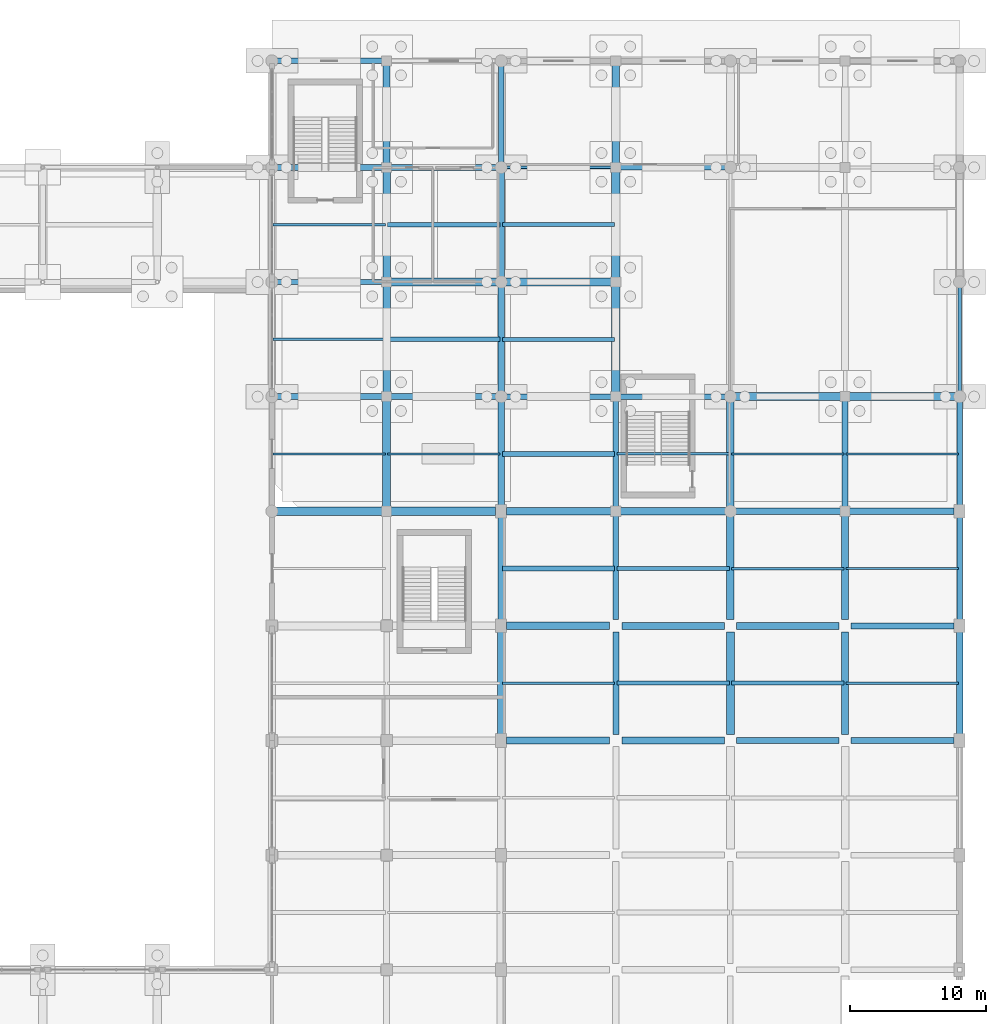
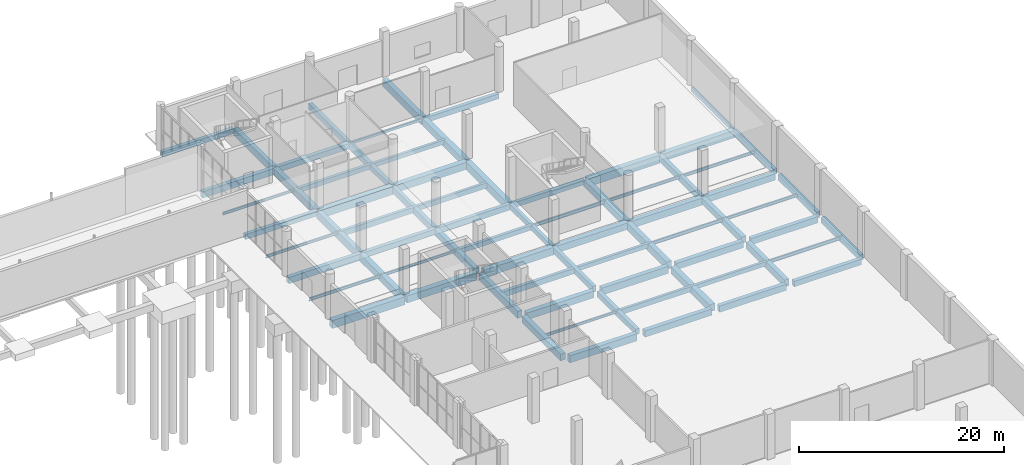
# One storey, part 52 of 82: 74 beams.
"""IFC4 building model written with IfcOpenShell, lengths in metres."""

import ifcopenshell
import ifcopenshell.guid

model = None  # the IFC model being written
_history = None  # IfcOwnerHistory: only IFC2X3 demands one
_inside = {}  # id of a spatial element -> (the spatial element, [elements in it])
_under = {}  # id of a project, library or spatial element -> (it, [spatial elements below it])
_declared = {}  # id of a project -> (the project, [libraries it declares])
_typed = {}  # id of a type object -> (the type object, [elements of that type])
_made_of = {}  # id of a material, layer set ... -> (it, [elements and type objects made of it])


def new_model(schema):
    """Start an empty IFC model of exactly this schema.

    Asked for "IFC4X3", IfcOpenShell would pick the latest addendum, in which some entities
    have other attributes; the version numbers below select the first issue.
    IFC2X3 requires an IfcOwnerHistory on every rooted entity: one is made here for all.
    """
    global model, _history
    if schema == "IFC4X3":
        model = ifcopenshell.file(schema_version=(4, 3, 0, 0))
    else:
        model = ifcopenshell.file(schema=schema)
    _inside.clear()
    _under.clear()
    _declared.clear()
    _typed.clear()
    _made_of.clear()
    _history = None
    if model.schema == "IFC2X3":
        org = make("IfcOrganization", Name="unknown")
        user = make(
            "IfcPersonAndOrganization",
            ThePerson=make("IfcPerson", FamilyName="unknown"),
            TheOrganization=org,
        )
        app = make(
            "IfcApplication",
            ApplicationDeveloper=org,
            Version="unknown",
            ApplicationFullName="unknown",
            ApplicationIdentifier="unknown",
        )
        _history = make(
            "IfcOwnerHistory",
            OwningUser=user,
            OwningApplication=app,
            ChangeAction="ADDED",
            CreationDate=0,
        )
    return model


def make(cls, **values):
    """One entity of the class cls with the attributes given. An attribute that is None is left unset."""
    return model.create_entity(
        cls, **{name: value for name, value in values.items() if value is not None}
    )


def rooted(cls, **values):
    """An entity with a GlobalId (a new one), such as an element, a storey or a relation."""
    return make(cls, GlobalId=ifcopenshell.guid.new(), OwnerHistory=_history, **values)


def si_unit(unit_type, name, prefix=None):
    """IfcSIUnit, for example si_unit("LENGTHUNIT", "METRE", prefix="MILLI")."""
    return make("IfcSIUnit", UnitType=unit_type, Prefix=prefix, Name=name)


def derived_unit(unit_type, elements):
    """IfcDerivedUnit: a product of units, each with its exponent."""
    return make(
        "IfcDerivedUnit",
        Elements=[
            make("IfcDerivedUnitElement", Unit=unit, Exponent=power)
            for unit, power in elements
        ],
        UnitType=unit_type,
    )


def assignment(units):
    """IfcUnitAssignment: the units of a project."""
    return None if units is None else make("IfcUnitAssignment", Units=units)


def point(xyz):
    """IfcCartesianPoint."""
    return None if xyz is None else make("IfcCartesianPoint", Coordinates=xyz)


def direction(xyz):
    """IfcDirection."""
    return None if xyz is None else make("IfcDirection", DirectionRatios=xyz)


def frame(location, z_axis=None, x_axis=None):
    """IfcAxis2Placement3D, a coordinate frame: its origin and axes. An axis left out is left unset."""
    return make(
        "IfcAxis2Placement3D",
        Location=point(location),
        Axis=direction(z_axis),
        RefDirection=direction(x_axis),
    )


def frame_2d(location, x_axis=None):
    """IfcAxis2Placement2D, a coordinate frame in the plane: its origin and x axis."""
    return make(
        "IfcAxis2Placement2D", Location=point(location), RefDirection=direction(x_axis)
    )


def origin():
    """The frame at (0, 0, 0) with its axes left unset."""
    return frame((0.0, 0.0, 0.0))


def origin_2d():
    """The frame at (0, 0) in the plane with its x axis left unset."""
    return frame_2d((0.0, 0.0))


def place(relative_to, where):
    """IfcLocalPlacement: puts the frame where relative to a parent placement (None: the world)."""
    return make(
        "IfcLocalPlacement", PlacementRelTo=relative_to, RelativePlacement=where
    )


def context(
    kind, dimensions, precision=None, world=None, true_north=None, identifier=None
):
    """IfcGeometricRepresentationContext, for example the 3D "Model" context."""
    return make(
        "IfcGeometricRepresentationContext",
        ContextIdentifier=identifier,
        ContextType=kind,
        CoordinateSpaceDimension=dimensions,
        Precision=precision,
        WorldCoordinateSystem=world,
        TrueNorth=true_north,
    )


def subcontext(parent, identifier, kind, view, scale=None):
    """IfcGeometricRepresentationSubContext, for example "Body" below "Model"."""
    return make(
        "IfcGeometricRepresentationSubContext",
        ContextIdentifier=identifier,
        ContextType=kind,
        ParentContext=parent,
        TargetScale=scale,
        TargetView=view,
    )


def project(units=None, contexts=None):
    """IfcProject with its units and contexts."""
    return rooted(
        "IfcProject",
        Name="project",
        RepresentationContexts=contexts,
        UnitsInContext=assignment(units),
    )


def spatial(cls, under=None, at=None, **own):
    """A site, building, storey or space (cls), placed at a placement, below another one or the project."""
    s = rooted(cls, ObjectPlacement=at, **own)
    if under is not None:
        _under.setdefault(under.id(), (under, []))[1].append(s)
    return s


def profile(cls, at=None, kind="AREA", **sizes):
    """A parametric profile (cls). Its sizes go by their IFC names, for example OverallWidth=200.0."""
    return make(cls, ProfileType=kind, Position=at, **sizes)


def rectangle(**sizes):
    """IfcRectangleProfileDef."""
    return profile("IfcRectangleProfileDef", **sizes)


def hollow_rectangle(**sizes):
    """IfcRectangleHollowProfileDef."""
    return profile("IfcRectangleHollowProfileDef", **sizes)


def i_section(**sizes):
    """IfcIShapeProfileDef."""
    return profile("IfcIShapeProfileDef", **sizes)


def extrude(swept, where, along, depth):
    """IfcExtrudedAreaSolid: the profile swept, set in the frame where, extruded along a direction by depth."""
    return make(
        "IfcExtrudedAreaSolid",
        SweptArea=swept,
        Position=where,
        ExtrudedDirection=direction(along),
        Depth=depth,
    )


def shape(context_of_items, identifier, shape_type, items):
    """IfcShapeRepresentation: the items that make up one representation, for example the "Body"."""
    return make(
        "IfcShapeRepresentation",
        ContextOfItems=context_of_items,
        RepresentationIdentifier=identifier,
        RepresentationType=shape_type,
        Items=items,
    )


def material(Name=None, Category=None):
    """IfcMaterial."""
    return make("IfcMaterial", Name=Name, Category=Category)


def material_profile(
    of_material, cross_section, Name=None, Category=None, Priority=None
):
    """IfcMaterialProfile: a cross section and its material."""
    return make(
        "IfcMaterialProfile",
        Name=Name,
        Material=of_material,
        Profile=cross_section,
        Priority=Priority,
        Category=Category,
    )


def profile_set(profiles, Name=None, composite=None):
    """IfcMaterialProfileSet."""
    return make(
        "IfcMaterialProfileSet",
        Name=Name,
        MaterialProfiles=profiles,
        CompositeProfile=composite,
    )


def made_of(thing, what):
    """Note that an element or type object is made of a material, layer set ...; save() writes the relation."""
    if what is not None:
        _made_of.setdefault(what.id(), (what, []))[1].append(thing)
    return thing


def type_object(cls, material=None, **own):
    """A type object (cls), such as IfcWallType, which elements share."""
    return made_of(rooted(cls, **own), material)


def element(
    cls,
    number,
    at=None,
    inside=None,
    cuts=None,
    type_object=None,
    material=None,
    context=None,
    identifier="Body",
    shape_type=None,
    held_by="IfcProductDefinitionShape",
    body=None,
    shapes=None,
    **own,
):
    """One element of the class cls, such as IfcWall. Its Tag is "e" and its number.

    at: its placement. inside: the storey or other place that contains it. cuts: it is an
    opening in that element (IfcRelVoidsElement). A single representation is given by context,
    identifier, shape_type and body (its items); several are given by shapes. held_by: the class
    of the entity that holds the representations. save() writes the other relations.
    """
    e = rooted(cls, Tag="e%d" % number, ObjectPlacement=at, **own)
    if body is not None:
        shapes = [shape(context, identifier, shape_type, body)]
    if shapes is not None:
        e.Representation = make(held_by, Representations=shapes)
    if inside is not None:
        _inside.setdefault(inside.id(), (inside, []))[1].append(e)
    if cuts is not None:
        rooted(
            "IfcRelVoidsElement", RelatingBuildingElement=cuts, RelatedOpeningElement=e
        )
    if type_object is not None:
        _typed.setdefault(type_object.id(), (type_object, []))[1].append(e)
    return made_of(e, material)


def aggregate(whole, parts):
    """IfcRelAggregates: a whole, such as a stair, and the parts it consists of."""
    return rooted("IfcRelAggregates", RelatingObject=whole, RelatedObjects=parts)


def save(model, path):
    """Write the relations noted so far, then the file.

    IfcRelAggregates (storeys below a building ...), IfcRelContainedInSpatialStructure (elements
    in a storey), IfcRelDefinesByType, IfcRelAssociatesMaterial and IfcRelDeclares: one each for
    every whole, place, type object, material and project.
    """
    for whole, parts in _under.values():
        aggregate(whole, parts)
    for where, things in _inside.values():
        rooted(
            "IfcRelContainedInSpatialStructure",
            RelatedElements=things,
            RelatingStructure=where,
        )
    for kind, things in _typed.values():
        rooted("IfcRelDefinesByType", RelatedObjects=things, RelatingType=kind)
    for what, things in _made_of.values():
        rooted("IfcRelAssociatesMaterial", RelatedObjects=things, RelatingMaterial=what)
    for by, libraries in _declared.values():
        rooted("IfcRelDeclares", RelatingContext=by, RelatedDefinitions=libraries)
    model.write(path)


model = new_model("IFC4")

# Units and contexts
model_context = context("Model", 3, precision=1e-05, world=origin(), true_north=direction((0.0, 1.0)))
body_context = subcontext(model_context, "Body", "Model", "MODEL_VIEW")
ifc_project = project(units=[si_unit("LENGTHUNIT", "METRE"), si_unit("AREAUNIT", "SQUARE_METRE"), si_unit("VOLUMEUNIT", "CUBIC_METRE"), si_unit("PLANEANGLEUNIT", "RADIAN"), si_unit("MASSUNIT", "GRAM", prefix="KILO"), derived_unit("THERMALTRANSMITTANCEUNIT", [(si_unit("POWERUNIT", "WATT"), 1), (si_unit("LENGTHUNIT", "METRE"), -2), (si_unit("THERMODYNAMICTEMPERATUREUNIT", "KELVIN"), -1)])], contexts=[model_context])

# Site, building, storey
site_placement = place(None, origin())
site = spatial("IfcSite", under=ifc_project, at=site_placement, CompositionType="ELEMENT")
building_placement = place(site_placement, origin())
building = spatial("IfcBuilding", under=site, at=building_placement, Name="Barrovel Congress Hotel", CompositionType="ELEMENT")
storey_placement = place(building_placement, origin())
storey = spatial("IfcBuildingStorey", under=building, at=storey_placement, Name="L00", CompositionType="ELEMENT", Elevation=0.0)

# Beams
ifc_material_1 = material(Name="Concrete C40", Category="concrete")
ifc_material_profile_1 = material_profile(ifc_material_1, rectangle(XDim=0.25, YDim=0.5, at=origin_2d()), Name="RC250x500")
ifc_profile_set_1 = profile_set([ifc_material_profile_1], Name="Concrete C40")
beam_type_1 = type_object("IfcBeamType", Name="BM-RC250x500", PredefinedType="SPANDREL", material=ifc_profile_set_1)
beam_1_placement = place(storey_placement, frame((176.39990234375, 88.326904296875, -0.570068359375), z_axis=(0.0, 1.0, 0.0), x_axis=(-1.0, 0.0, 0.0)))
element("IfcBeam", 1, at=beam_1_placement, inside=storey, type_object=beam_type_1, Name="BMY:L00:176.4:88.2-96.6", PredefinedType="SPANDREL", context=body_context, shape_type="SweptSolid", body=[
    extrude(rectangle(XDim=0.25, YDim=0.5, at=origin_2d()), origin(), (0.0, 0.0, 1.0), 8.14599609375),
])
ifc_material_profile_2 = material_profile(ifc_material_1, rectangle(XDim=0.300048828125, YDim=0.5, at=origin_2d()), Name="RC300x500")
ifc_profile_set_2 = profile_set([ifc_material_profile_2], Name="Concrete C40")
beam_type_2 = type_object("IfcBeamType", Name="BM-RC300x500", PredefinedType="JOIST", material=ifc_profile_set_2)
beam_2_placement = place(storey_placement, frame((142.8798828125, 100.800048828125, -0.570068359375), z_axis=(1.0, 0.0, 0.0), x_axis=(0.0, 1.0, 0.0)))
element("IfcBeam", 2, at=beam_2_placement, inside=storey, type_object=beam_type_2, Name="JST:L00:142.8:100.8", PredefinedType="JOIST", context=body_context, shape_type="SweptSolid", body=[
    extrude(rectangle(XDim=0.300048828125, YDim=0.5, at=origin_2d()), origin(), (0.0, 0.0, 1.0), 8.240234375),
])
for number, where, z_axis, x_axis, name in (
    (3, (151.280029296875, 75.60009765625, -0.570068359375), (1.0, 0.0, 0.0), (0.0, 1.0, 0.0), "JST:L00:151.2:75.6"),
    (4, (159.679931640625, 67.199951171875, -0.570068359375), (1.0, 0.0, 0.0), (0.0, 1.0, 0.0), "JST:L00:159.6:67.2"),
):
    element("IfcBeam", number, at=place(storey_placement, frame(where, z_axis=z_axis, x_axis=x_axis)), inside=storey, type_object=beam_type_2, Name=name, PredefinedType="JOIST", context=body_context, shape_type="SweptSolid", body=[
        extrude(rectangle(XDim=0.300048828125, YDim=0.5, at=origin_2d()), origin(), (0.0, 0.0, 1.0), 8.239990234375),
    ])
ifc_material_profile_3 = material_profile(ifc_material_1, rectangle(XDim=0.300048828125, YDim=0.60009765625, at=origin_2d()), Name="RC300x600")
ifc_profile_set_3 = profile_set([ifc_material_profile_3], Name="Concrete C40")
beam_type_3 = type_object("IfcBeamType", Name="BM-RC300x600", PredefinedType="JOIST", material=ifc_profile_set_3)
beam_3_placement = place(storey_placement, frame((142.8798828125, 92.39990234375, -0.6201171875), z_axis=(1.0, 0.0, 0.0), x_axis=(0.0, 1.0, 0.0)))
element("IfcBeam", 5, at=beam_3_placement, inside=storey, type_object=beam_type_3, Name="JST:L00:142.8:92.4", PredefinedType="JOIST", context=body_context, shape_type="SweptSolid", body=[
    extrude(rectangle(XDim=0.300048828125, YDim=0.60009765625, at=origin_2d()), origin(), (0.0, 0.0, 1.0), 8.240234375),
])
beam_4_placement = place(storey_placement, frame((151.280029296875, 67.199951171875, -0.6201171875), z_axis=(1.0, 0.0, 0.0), x_axis=(0.0, 1.0, 0.0)))
element("IfcBeam", 6, at=beam_4_placement, inside=storey, type_object=beam_type_3, Name="JST:L00:151.2:67.2", PredefinedType="JOIST", context=body_context, shape_type="SweptSolid", body=[
    extrude(rectangle(XDim=0.300048828125, YDim=0.60009765625, at=origin_2d()), origin(), (0.0, 0.0, 1.0), 8.239990234375),
])
ifc_material_profile_4 = material_profile(ifc_material_1, rectangle(XDim=0.35009765625, YDim=0.550048828125, at=origin_2d()), Name="RC350x550")
ifc_profile_set_4 = profile_set([ifc_material_profile_4], Name="Concrete C40")
beam_type_4 = type_object("IfcBeamType", Name="BM-RC350x550", PredefinedType="JOIST", material=ifc_profile_set_4)
beam_5_placement = place(storey_placement, frame((134.47998046875, 100.800048828125, -0.594970703125), z_axis=(1.0, 0.0, 0.0), x_axis=(0.0, 1.0, 0.0)))
element("IfcBeam", 7, at=beam_5_placement, inside=storey, type_object=beam_type_4, Name="JST:L00:134.4:100.8", PredefinedType="JOIST", context=body_context, shape_type="SweptSolid", body=[
    extrude(rectangle(XDim=0.35009765625, YDim=0.550048828125, at=origin_2d()), origin(), (0.0, 0.0, 1.0), 8.239990234375),
])
beam_6_placement = place(storey_placement, frame((142.8798828125, 84.0, -0.594970703125), z_axis=(1.0, 0.0, 0.0), x_axis=(0.0, 1.0, 0.0)))
element("IfcBeam", 8, at=beam_6_placement, inside=storey, type_object=beam_type_4, Name="JST:L00:142.8:84.0", PredefinedType="JOIST", context=body_context, shape_type="SweptSolid", body=[
    extrude(rectangle(XDim=0.35009765625, YDim=0.550048828125, at=origin_2d()), origin(), (0.0, 0.0, 1.0), 8.240234375),
])
ifc_material_profile_5 = material_profile(ifc_material_1, rectangle(XDim=0.35009765625, YDim=0.64990234375, at=origin_2d()), Name="RC350x650")
ifc_profile_set_5 = profile_set([ifc_material_profile_5], Name="Concrete C40")
beam_type_5 = type_object("IfcBeamType", Name="BM-RC350x650", PredefinedType="JOIST", material=ifc_profile_set_5)
beam_7_placement = place(storey_placement, frame((134.47998046875, 92.39990234375, -0.64501953125), z_axis=(1.0, 0.0, 0.0), x_axis=(0.0, 1.0, 0.0)))
element("IfcBeam", 9, at=beam_7_placement, inside=storey, type_object=beam_type_5, Name="JST:L00:134.4:92.4", PredefinedType="JOIST", context=body_context, shape_type="SweptSolid", body=[
    extrude(rectangle(XDim=0.35009765625, YDim=0.64990234375, at=origin_2d()), origin(), (0.0, 0.0, 1.0), 8.239990234375),
])
beam_8_placement = place(storey_placement, frame((142.8798828125, 75.60009765625, -0.64501953125), z_axis=(1.0, 0.0, 0.0), x_axis=(0.0, 1.0, 0.0)))
element("IfcBeam", 10, at=beam_8_placement, inside=storey, type_object=beam_type_5, Name="JST:L00:142.8:75.6", PredefinedType="JOIST", context=body_context, shape_type="SweptSolid", body=[
    extrude(rectangle(XDim=0.35009765625, YDim=0.64990234375, at=origin_2d()), origin(), (0.0, 0.0, 1.0), 8.240234375),
])
ifc_material_profile_6 = material_profile(ifc_material_1, rectangle(XDim=0.39990234375, YDim=0.60009765625, at=origin_2d()), Name="RC400x600")
ifc_profile_set_6 = profile_set([ifc_material_profile_6], Name="Concrete C40")
beam_type_6 = type_object("IfcBeamType", Name="BM-RC400x600", PredefinedType="BEAM", material=ifc_profile_set_6)
for number, where, z_axis, x_axis, name in (
    (11, (151.326904296875, 88.199951171875, -0.6201171875), (1.0, 0.0, 0.0), (0.0, 1.0, 0.0), "BMX:L00:88.2:151.2-159.6"),
    (12, (126.126953125, 96.60009765625, -0.6201171875), (1.0, 0.0, 0.0), (0.0, 1.0, 0.0), "BMX:L00:96.6:126.0-134.4"),
    (13, (151.326904296875, 105.0, -0.6201171875), (1.0, 0.0, 0.0), (0.0, 1.0, 0.0), "BMX:L00:105.0:151.2-159.6"),
    (14, (126.126953125, 112.800048828125, -0.6201171875), (1.0, 0.0, 0.0), (0.0, 1.0, 0.0), "BMX:L00:112.8:126.0-134.4"),
    (15, (151.199951171875, 79.927001953125, -0.6201171875), (0.0, 1.0, 0.0), (-1.0, 0.0, 0.0), "BMY:L00:151.2:79.8-88.2"),
):
    element("IfcBeam", number, at=place(storey_placement, frame(where, z_axis=z_axis, x_axis=x_axis)), inside=storey, type_object=beam_type_6, Name=name, PredefinedType="BEAM", context=body_context, shape_type="SweptSolid", body=[
        extrude(rectangle(XDim=0.39990234375, YDim=0.60009765625, at=origin_2d()), origin(), (0.0, 0.0, 1.0), 8.14599609375),
    ])
beam_9_placement = place(storey_placement, frame((176.39990234375, 80.25, -0.6201171875), z_axis=(0.0, 1.0, 0.0), x_axis=(-1.0, 0.0, 0.0)))
element("IfcBeam", 16, at=beam_9_placement, inside=storey, type_object=beam_type_6, Name="BMY:L00:176.4:79.8-88.2", PredefinedType="BEAM", context=body_context, shape_type="SweptSolid", body=[
    extrude(rectangle(XDim=0.39990234375, YDim=0.60009765625, at=origin_2d()), origin(), (0.0, 0.0, 1.0), 7.822998046875),
])
ifc_material_profile_7 = material_profile(ifc_material_1, rectangle(XDim=0.39990234375, YDim=0.699951171875, at=origin_2d()), Name="RC400x700")
ifc_profile_set_7 = profile_set([ifc_material_profile_7], Name="Concrete C40")
beam_type_7 = type_object("IfcBeamType", Name="BM-RC400x700", PredefinedType="BEAM", material=ifc_profile_set_7)
beam_10_placement = place(storey_placement, frame((142.927001953125, 88.199951171875, -0.669921875), z_axis=(1.0, 0.0, 0.0), x_axis=(0.0, 1.0, 0.0)))
element("IfcBeam", 17, at=beam_10_placement, inside=storey, type_object=beam_type_7, Name="BMX:L00:88.2:142.8-151.2", PredefinedType="BEAM", context=body_context, shape_type="SweptSolid", body=[
    extrude(rectangle(XDim=0.39990234375, YDim=0.699951171875, at=origin_2d()), origin(), (0.0, 0.0, 1.0), 8.14599609375),
])
beam_11_placement = place(storey_placement, frame((142.800048828125, 105.126953125, -0.669921875), z_axis=(0.0, 1.0, 0.0), x_axis=(-1.0, 0.0, 0.0)))
element("IfcBeam", 18, at=beam_11_placement, inside=storey, type_object=beam_type_7, Name="BMY:L00:142.8:105.0-112.8", PredefinedType="BEAM", context=body_context, shape_type="SweptSolid", body=[
    extrude(rectangle(XDim=0.39990234375, YDim=0.699951171875, at=origin_2d()), origin(), (0.0, 0.0, 1.0), 7.546142578125),
])
beam_12_placement = place(storey_placement, frame((151.199951171875, 71.85009765625, -0.669921875), z_axis=(0.0, 1.0, 0.0), x_axis=(-1.0, 0.0, 0.0)))
element("IfcBeam", 19, at=beam_12_placement, inside=storey, type_object=beam_type_7, Name="BMY:L00:151.2:71.4-79.8", PredefinedType="BEAM", context=body_context, shape_type="SweptSolid", body=[
    extrude(rectangle(XDim=0.39990234375, YDim=0.699951171875, at=origin_2d()), origin(), (0.0, 0.0, 1.0), 7.822998046875),
])
beam_13_placement = place(storey_placement, frame((176.39990234375, 71.85009765625, -0.669921875), z_axis=(0.0, 1.0, 0.0), x_axis=(-1.0, 0.0, 0.0)))
element("IfcBeam", 20, at=beam_13_placement, inside=storey, type_object=beam_type_7, Name="BMY:L00:176.4:71.4-79.8", PredefinedType="BEAM", context=body_context, shape_type="SweptSolid", body=[
    extrude(rectangle(XDim=0.39990234375, YDim=0.699951171875, at=origin_2d()), origin(), (0.0, 0.0, 1.0), 7.5),
])
ifc_material_profile_8 = material_profile(ifc_material_1, rectangle(XDim=0.449951171875, YDim=0.64990234375, at=origin_2d()), Name="RC450x650")
ifc_profile_set_8 = profile_set([ifc_material_profile_8], Name="Concrete C40")
beam_type_8 = type_object("IfcBeamType", Name="BM-RC450x650", PredefinedType="BEAM", material=ifc_profile_set_8)
beam_14_placement = place(storey_placement, frame((168.449951171875, 63.0, -0.64501953125), z_axis=(1.0, 0.0, 0.0), x_axis=(0.0, 1.0, 0.0)))
element("IfcBeam", 21, at=beam_14_placement, inside=storey, type_object=beam_type_8, Name="BMX:L00:63.0:168.0-176.4", PredefinedType="BEAM", context=body_context, shape_type="SweptSolid", body=[
    extrude(rectangle(XDim=0.449951171875, YDim=0.64990234375, at=origin_2d()), origin(), (0.0, 0.0, 1.0), 7.550048828125),
])
for number, where, z_axis, x_axis, name in (
    (22, (134.527099609375, 88.199951171875, -0.64501953125), (1.0, 0.0, 0.0), (0.0, 1.0, 0.0), "BMX:L00:88.2:134.4-142.8"),
    (23, (134.527099609375, 105.0, -0.64501953125), (1.0, 0.0, 0.0), (0.0, 1.0, 0.0), "BMX:L00:105.0:134.4-142.8"),
    (24, (142.800048828125, 96.72705078125, -0.64501953125), (0.0, 1.0, 0.0), (-1.0, 0.0, 0.0), "BMY:L00:142.8:96.6-105.0"),
):
    element("IfcBeam", number, at=place(storey_placement, frame(where, z_axis=z_axis, x_axis=x_axis)), inside=storey, type_object=beam_type_8, Name=name, PredefinedType="BEAM", context=body_context, shape_type="SweptSolid", body=[
        extrude(rectangle(XDim=0.449951171875, YDim=0.64990234375, at=origin_2d()), origin(), (0.0, 0.0, 1.0), 8.14599609375),
    ])
for number, where, z_axis, x_axis, name in (
    (25, (151.199951171875, 63.449951171875, -0.64501953125), (0.0, 1.0, 0.0), (-1.0, 0.0, 0.0), "BMY:L00:151.2:63.0-71.4"),
    (26, (176.39990234375, 63.449951171875, -0.64501953125), (0.0, 1.0, 0.0), (-1.0, 0.0, 0.0), "BMY:L00:176.4:63.0-71.4"),
):
    element("IfcBeam", number, at=place(storey_placement, frame(where, z_axis=z_axis, x_axis=x_axis)), inside=storey, type_object=beam_type_8, Name=name, PredefinedType="BEAM", context=body_context, shape_type="SweptSolid", body=[
        extrude(rectangle(XDim=0.449951171875, YDim=0.64990234375, at=origin_2d()), origin(), (0.0, 0.0, 1.0), 7.5),
    ])
ifc_material_profile_9 = material_profile(ifc_material_1, rectangle(XDim=0.449951171875, YDim=0.75, at=origin_2d()), Name="RC450x750")
ifc_profile_set_9 = profile_set([ifc_material_profile_9], Name="Concrete C40")
beam_type_9 = type_object("IfcBeamType", Name="BM-RC450x750", PredefinedType="BEAM", material=ifc_profile_set_9)
beam_15_placement = place(storey_placement, frame((160.050048828125, 63.0, -0.695068359375), z_axis=(1.0, 0.0, 0.0), x_axis=(0.0, 1.0, 0.0)))
element("IfcBeam", 27, at=beam_15_placement, inside=storey, type_object=beam_type_9, Name="BMX:L00:63.0:159.6-168.0", PredefinedType="BEAM", context=body_context, shape_type="SweptSolid", body=[
    extrude(rectangle(XDim=0.449951171875, YDim=0.75, at=origin_2d()), origin(), (0.0, 0.0, 1.0), 7.5),
])
beam_16_placement = place(storey_placement, frame((168.449951171875, 71.39990234375, -0.695068359375), z_axis=(1.0, 0.0, 0.0), x_axis=(0.0, 1.0, 0.0)))
element("IfcBeam", 28, at=beam_16_placement, inside=storey, type_object=beam_type_9, Name="BMX:L00:71.4:168.0-176.4", PredefinedType="BEAM", context=body_context, shape_type="SweptSolid", body=[
    extrude(rectangle(XDim=0.449951171875, YDim=0.75, at=origin_2d()), origin(), (0.0, 0.0, 1.0), 7.550048828125),
])
for number, where, z_axis, x_axis, name in (
    (29, (126.126953125, 88.199951171875, -0.695068359375), (1.0, 0.0, 0.0), (0.0, 1.0, 0.0), "BMX:L00:88.2:126.0-134.4"),
    (30, (126.126953125, 105.0, -0.695068359375), (1.0, 0.0, 0.0), (0.0, 1.0, 0.0), "BMX:L00:105.0:126.0-134.4"),
    (31, (142.800048828125, 88.326904296875, -0.695068359375), (0.0, 1.0, 0.0), (-1.0, 0.0, 0.0), "BMY:L00:142.8:88.2-96.6"),
    (32, (168.0, 79.927001953125, -0.695068359375), (0.0, 1.0, 0.0), (-1.0, 0.0, 0.0), "BMY:L00:168.0:79.8-88.2"),
):
    element("IfcBeam", number, at=place(storey_placement, frame(where, z_axis=z_axis, x_axis=x_axis)), inside=storey, type_object=beam_type_9, Name=name, PredefinedType="BEAM", context=body_context, shape_type="SweptSolid", body=[
        extrude(rectangle(XDim=0.449951171875, YDim=0.75, at=origin_2d()), origin(), (0.0, 0.0, 1.0), 8.14599609375),
    ])
ifc_material_profile_10 = material_profile(ifc_material_1, rectangle(XDim=0.5, YDim=0.75, at=origin_2d()), Name="RC500x750")
ifc_profile_set_10 = profile_set([ifc_material_profile_10], Name="Concrete C40")
beam_type_10 = type_object("IfcBeamType", Name="BM-RC500x750", PredefinedType="BEAM", material=ifc_profile_set_10)
for number, where, z_axis, x_axis, name in (
    (33, (151.64990234375, 63.0, -0.695068359375), (1.0, 0.0, 0.0), (0.0, 1.0, 0.0), "BMX:L00:63.0:151.2-159.6"),
    (34, (160.050048828125, 71.39990234375, -0.695068359375), (1.0, 0.0, 0.0), (0.0, 1.0, 0.0), "BMX:L00:71.4:159.6-168.0"),
):
    element("IfcBeam", number, at=place(storey_placement, frame(where, z_axis=z_axis, x_axis=x_axis)), inside=storey, type_object=beam_type_10, Name=name, PredefinedType="BEAM", context=body_context, shape_type="SweptSolid", body=[
        extrude(rectangle(XDim=0.5, YDim=0.75, at=origin_2d()), origin(), (0.0, 0.0, 1.0), 7.5),
    ])
beam_17_placement = place(storey_placement, frame((168.126953125, 79.800048828125, -0.695068359375), z_axis=(1.0, 0.0, 0.0), x_axis=(0.0, 1.0, 0.0)))
element("IfcBeam", 35, at=beam_17_placement, inside=storey, type_object=beam_type_10, Name="BMX:L00:79.8:168.0-176.4", PredefinedType="BEAM", context=body_context, shape_type="SweptSolid", body=[
    extrude(rectangle(XDim=0.5, YDim=0.75, at=origin_2d()), origin(), (0.0, 0.0, 1.0), 7.873046875),
])
for number, where, z_axis, x_axis, name in (
    (36, (142.800048828125, 80.25, -0.695068359375), (0.0, 1.0, 0.0), (-1.0, 0.0, 0.0), "BMY:L00:142.8:79.8-88.2"),
    (37, (168.0, 71.85009765625, -0.695068359375), (0.0, 1.0, 0.0), (-1.0, 0.0, 0.0), "BMY:L00:168.0:71.4-79.8"),
):
    element("IfcBeam", number, at=place(storey_placement, frame(where, z_axis=z_axis, x_axis=x_axis)), inside=storey, type_object=beam_type_10, Name=name, PredefinedType="BEAM", context=body_context, shape_type="SweptSolid", body=[
        extrude(rectangle(XDim=0.5, YDim=0.75, at=origin_2d()), origin(), (0.0, 0.0, 1.0), 7.822998046875),
    ])
ifc_material_profile_11 = material_profile(ifc_material_1, rectangle(XDim=0.5, YDim=0.85009765625, at=origin_2d()), Name="RC500x850")
ifc_profile_set_11 = profile_set([ifc_material_profile_11], Name="Concrete C40")
beam_type_11 = type_object("IfcBeamType", Name="BM-RC500x850", PredefinedType="BEAM", material=ifc_profile_set_11)
beam_18_placement = place(storey_placement, frame((143.199951171875, 63.0, -0.7451171875), z_axis=(1.0, 0.0, 0.0), x_axis=(0.0, 1.0, 0.0)))
element("IfcBeam", 38, at=beam_18_placement, inside=storey, type_object=beam_type_11, Name="BMX:L00:63.0:142.8-151.2", PredefinedType="BEAM", context=body_context, shape_type="SweptSolid", body=[
    extrude(rectangle(XDim=0.5, YDim=0.85009765625, at=origin_2d()), origin(), (0.0, 0.0, 1.0), 7.550048828125),
])
beam_19_placement = place(storey_placement, frame((151.64990234375, 71.39990234375, -0.7451171875), z_axis=(1.0, 0.0, 0.0), x_axis=(0.0, 1.0, 0.0)))
element("IfcBeam", 39, at=beam_19_placement, inside=storey, type_object=beam_type_11, Name="BMX:L00:71.4:151.2-159.6", PredefinedType="BEAM", context=body_context, shape_type="SweptSolid", body=[
    extrude(rectangle(XDim=0.5, YDim=0.85009765625, at=origin_2d()), origin(), (0.0, 0.0, 1.0), 7.5),
])
beam_20_placement = place(storey_placement, frame((159.72705078125, 79.800048828125, -0.7451171875), z_axis=(1.0, 0.0, 0.0), x_axis=(0.0, 1.0, 0.0)))
element("IfcBeam", 40, at=beam_20_placement, inside=storey, type_object=beam_type_11, Name="BMX:L00:79.8:159.6-168.0", PredefinedType="BEAM", context=body_context, shape_type="SweptSolid", body=[
    extrude(rectangle(XDim=0.5, YDim=0.85009765625, at=origin_2d()), origin(), (0.0, 0.0, 1.0), 8.14599609375),
])
beam_21_placement = place(storey_placement, frame((134.39990234375, 105.126953125, -0.7451171875), z_axis=(0.0, 1.0, 0.0), x_axis=(-1.0, 0.0, 0.0)))
element("IfcBeam", 41, at=beam_21_placement, inside=storey, type_object=beam_type_11, Name="BMY:L00:134.4:105.0-112.8", PredefinedType="BEAM", context=body_context, shape_type="SweptSolid", body=[
    extrude(rectangle(XDim=0.5, YDim=0.85009765625, at=origin_2d()), origin(), (0.0, 0.0, 1.0), 7.546142578125),
])
for number, where, z_axis, x_axis, name in (
    (42, (142.800048828125, 71.85009765625, -0.7451171875), (0.0, 1.0, 0.0), (-1.0, 0.0, 0.0), "BMY:L00:142.8:71.4-79.8"),
    (43, (168.0, 63.449951171875, -0.7451171875), (0.0, 1.0, 0.0), (-1.0, 0.0, 0.0), "BMY:L00:168.0:63.0-71.4"),
):
    element("IfcBeam", number, at=place(storey_placement, frame(where, z_axis=z_axis, x_axis=x_axis)), inside=storey, type_object=beam_type_11, Name=name, PredefinedType="BEAM", context=body_context, shape_type="SweptSolid", body=[
        extrude(rectangle(XDim=0.5, YDim=0.85009765625, at=origin_2d()), origin(), (0.0, 0.0, 1.0), 7.5),
    ])
ifc_material_profile_12 = material_profile(ifc_material_1, rectangle(XDim=0.550048828125, YDim=0.800048828125, at=origin_2d()), Name="RC550x800")
ifc_profile_set_12 = profile_set([ifc_material_profile_12], Name="Concrete C40")
beam_type_12 = type_object("IfcBeamType", Name="BM-RC550x800", PredefinedType="BEAM", material=ifc_profile_set_12)
beam_22_placement = place(storey_placement, frame((143.199951171875, 71.39990234375, -0.719970703125), z_axis=(1.0, 0.0, 0.0), x_axis=(0.0, 1.0, 0.0)))
element("IfcBeam", 44, at=beam_22_placement, inside=storey, type_object=beam_type_12, Name="BMX:L00:71.4:142.8-151.2", PredefinedType="BEAM", context=body_context, shape_type="SweptSolid", body=[
    extrude(rectangle(XDim=0.550048828125, YDim=0.800048828125, at=origin_2d()), origin(), (0.0, 0.0, 1.0), 7.550048828125),
])
for number, where, z_axis, x_axis, name in (
    (45, (151.326904296875, 79.800048828125, -0.719970703125), (1.0, 0.0, 0.0), (0.0, 1.0, 0.0), "BMX:L00:79.8:151.2-159.6"),
    (46, (134.39990234375, 96.72705078125, -0.719970703125), (0.0, 1.0, 0.0), (-1.0, 0.0, 0.0), "BMY:L00:134.4:96.6-105.0"),
):
    element("IfcBeam", number, at=place(storey_placement, frame(where, z_axis=z_axis, x_axis=x_axis)), inside=storey, type_object=beam_type_12, Name=name, PredefinedType="BEAM", context=body_context, shape_type="SweptSolid", body=[
        extrude(rectangle(XDim=0.550048828125, YDim=0.800048828125, at=origin_2d()), origin(), (0.0, 0.0, 1.0), 8.14599609375),
    ])
beam_23_placement = place(storey_placement, frame((142.800048828125, 63.449951171875, -0.719970703125), z_axis=(0.0, 1.0, 0.0), x_axis=(-1.0, 0.0, 0.0)))
element("IfcBeam", 47, at=beam_23_placement, inside=storey, type_object=beam_type_12, Name="BMY:L00:142.8:63.0-71.4", PredefinedType="BEAM", context=body_context, shape_type="SweptSolid", body=[
    extrude(rectangle(XDim=0.550048828125, YDim=0.800048828125, at=origin_2d()), origin(), (0.0, 0.0, 1.0), 7.5),
])
beam_24_placement = place(storey_placement, frame((159.60009765625, 79.927001953125, -0.719970703125), z_axis=(0.0, 1.0, 0.0), x_axis=(-1.0, 0.0, 0.0)))
element("IfcBeam", 48, at=beam_24_placement, inside=storey, type_object=beam_type_12, Name="BMY:L00:159.6:79.8-88.2", PredefinedType="BEAM", context=body_context, shape_type="SweptSolid", body=[
    extrude(rectangle(XDim=0.550048828125, YDim=0.800048828125, at=origin_2d()), origin(), (0.0, 0.0, 1.0), 8.14599609375),
])
ifc_material_profile_13 = material_profile(ifc_material_1, rectangle(XDim=0.550048828125, YDim=0.89990234375, at=origin_2d()), Name="RC550x900")
ifc_profile_set_13 = profile_set([ifc_material_profile_13], Name="Concrete C40")
beam_type_13 = type_object("IfcBeamType", Name="BM-RC550x900", PredefinedType="BEAM", material=ifc_profile_set_13)
beam_25_placement = place(storey_placement, frame((143.199951171875, 79.800048828125, -0.77001953125), z_axis=(1.0, 0.0, 0.0), x_axis=(0.0, 1.0, 0.0)))
element("IfcBeam", 49, at=beam_25_placement, inside=storey, type_object=beam_type_13, Name="BMX:L00:79.8:142.8-151.2", PredefinedType="BEAM", context=body_context, shape_type="SweptSolid", body=[
    extrude(rectangle(XDim=0.550048828125, YDim=0.89990234375, at=origin_2d()), origin(), (0.0, 0.0, 1.0), 7.873046875),
])
beam_26_placement = place(storey_placement, frame((134.39990234375, 88.326904296875, -0.77001953125), z_axis=(0.0, 1.0, 0.0), x_axis=(-1.0, 0.0, 0.0)))
element("IfcBeam", 50, at=beam_26_placement, inside=storey, type_object=beam_type_13, Name="BMY:L00:134.4:88.2-96.6", PredefinedType="BEAM", context=body_context, shape_type="SweptSolid", body=[
    extrude(rectangle(XDim=0.550048828125, YDim=0.89990234375, at=origin_2d()), origin(), (0.0, 0.0, 1.0), 8.14599609375),
])
beam_27_placement = place(storey_placement, frame((151.199951171875, 105.126953125, -0.77001953125), z_axis=(0.0, 1.0, 0.0), x_axis=(-1.0, 0.0, 0.0)))
element("IfcBeam", 51, at=beam_27_placement, inside=storey, type_object=beam_type_13, Name="BMY:L00:151.2:105.0-112.8", PredefinedType="BEAM", context=body_context, shape_type="SweptSolid", body=[
    extrude(rectangle(XDim=0.550048828125, YDim=0.89990234375, at=origin_2d()), origin(), (0.0, 0.0, 1.0), 7.546142578125),
])
beam_28_placement = place(storey_placement, frame((159.60009765625, 71.85009765625, -0.77001953125), z_axis=(0.0, 1.0, 0.0), x_axis=(-1.0, 0.0, 0.0)))
element("IfcBeam", 52, at=beam_28_placement, inside=storey, type_object=beam_type_13, Name="BMY:L00:159.6:71.4-79.8", PredefinedType="BEAM", context=body_context, shape_type="SweptSolid", body=[
    extrude(rectangle(XDim=0.550048828125, YDim=0.89990234375, at=origin_2d()), origin(), (0.0, 0.0, 1.0), 7.822998046875),
])
ifc_material_profile_14 = material_profile(ifc_material_1, rectangle(XDim=0.60009765625, YDim=0.85009765625, at=origin_2d()), Name="RC600x850")
ifc_profile_set_14 = profile_set([ifc_material_profile_14], Name="Concrete C40")
beam_type_14 = type_object("IfcBeamType", Name="BM-RC600x850", PredefinedType="BEAM", material=ifc_profile_set_14)
beam_29_placement = place(storey_placement, frame((134.527099609375, 79.800048828125, -0.7451171875), z_axis=(1.0, 0.0, 0.0), x_axis=(0.0, 1.0, 0.0)))
element("IfcBeam", 53, at=beam_29_placement, inside=storey, type_object=beam_type_14, Name="BMX:L00:79.8:134.4-142.8", PredefinedType="BEAM", context=body_context, shape_type="SweptSolid", body=[
    extrude(rectangle(XDim=0.60009765625, YDim=0.85009765625, at=origin_2d()), origin(), (0.0, 0.0, 1.0), 7.872802734375),
])
for number, where, z_axis, x_axis, name in (
    (54, (168.126953125, 88.199951171875, -0.7451171875), (1.0, 0.0, 0.0), (0.0, 1.0, 0.0), "BMX:L00:88.2:168.0-176.4"),
    (55, (142.927001953125, 96.60009765625, -0.7451171875), (1.0, 0.0, 0.0), (0.0, 1.0, 0.0), "BMX:L00:96.6:142.8-151.2"),
    (56, (134.39990234375, 79.927001953125, -0.7451171875), (0.0, 1.0, 0.0), (-1.0, 0.0, 0.0), "BMY:L00:134.4:79.8-88.2"),
    (57, (151.199951171875, 96.72705078125, -0.7451171875), (0.0, 1.0, 0.0), (-1.0, 0.0, 0.0), "BMY:L00:151.2:96.6-105.0"),
):
    element("IfcBeam", number, at=place(storey_placement, frame(where, z_axis=z_axis, x_axis=x_axis)), inside=storey, type_object=beam_type_14, Name=name, PredefinedType="BEAM", context=body_context, shape_type="SweptSolid", body=[
        extrude(rectangle(XDim=0.60009765625, YDim=0.85009765625, at=origin_2d()), origin(), (0.0, 0.0, 1.0), 8.14599609375),
    ])
beam_30_placement = place(storey_placement, frame((159.60009765625, 63.449951171875, -0.7451171875), z_axis=(0.0, 1.0, 0.0), x_axis=(-1.0, 0.0, 0.0)))
element("IfcBeam", 58, at=beam_30_placement, inside=storey, type_object=beam_type_14, Name="BMY:L00:159.6:63.0-71.4", PredefinedType="BEAM", context=body_context, shape_type="SweptSolid", body=[
    extrude(rectangle(XDim=0.60009765625, YDim=0.85009765625, at=origin_2d()), origin(), (0.0, 0.0, 1.0), 7.5),
])
ifc_material_profile_15 = material_profile(ifc_material_1, rectangle(XDim=0.60009765625, YDim=0.949951171875, at=origin_2d()), Name="RC600x950")
ifc_profile_set_15 = profile_set([ifc_material_profile_15], Name="Concrete C40")
beam_type_15 = type_object("IfcBeamType", Name="BM-RC600x950", PredefinedType="BEAM", material=ifc_profile_set_15)
for number, where, z_axis, x_axis, name in (
    (59, (126.126953125, 79.800048828125, -0.794921875), (1.0, 0.0, 0.0), (0.0, 1.0, 0.0), "BMX:L00:79.8:126.0-134.4"),
    (60, (159.72705078125, 88.199951171875, -0.794921875), (1.0, 0.0, 0.0), (0.0, 1.0, 0.0), "BMX:L00:88.2:159.6-168.0"),
    (61, (134.527099609375, 96.60009765625, -0.794921875), (1.0, 0.0, 0.0), (0.0, 1.0, 0.0), "BMX:L00:96.6:134.4-142.8"),
    (62, (151.199951171875, 88.326904296875, -0.794921875), (0.0, 1.0, 0.0), (-1.0, 0.0, 0.0), "BMY:L00:151.2:88.2-96.6"),
):
    element("IfcBeam", number, at=place(storey_placement, frame(where, z_axis=z_axis, x_axis=x_axis)), inside=storey, type_object=beam_type_15, Name=name, PredefinedType="BEAM", context=body_context, shape_type="SweptSolid", body=[
        extrude(rectangle(XDim=0.60009765625, YDim=0.949951171875, at=origin_2d()), origin(), (0.0, 0.0, 1.0), 8.14599609375),
    ])
ifc_material_2 = material(Name="Steel ASTM A500 Grade C", Category="steel")
ifc_material_profile_16 = material_profile(ifc_material_2, hollow_rectangle(XDim=0.203125, YDim=0.3046875, WallThickness=0.01171875, InnerFilletRadius=0.01171875, OuterFilletRadius=0.023681640625, at=origin_2d()), Name="HSS305x203x12.7")
ifc_profile_set_16 = profile_set([ifc_material_profile_16], Name="Steel ASTM A500 Grade C")
beam_type_16 = type_object("IfcBeamType", Name="SBM-HSS305x203x12.7", PredefinedType="SPANDREL", material=ifc_profile_set_16)
beam_31_placement = place(storey_placement, frame((142.927001953125, 105.0, -0.472412109375), z_axis=(1.0, 0.0, 0.0), x_axis=(0.0, 1.0, 0.0)))
element("IfcBeam", 63, at=beam_31_placement, inside=storey, type_object=beam_type_16, Name="BMX:L00:105.0:142.8-151.2", PredefinedType="SPANDREL", context=body_context, shape_type="SweptSolid", body=[
    extrude(hollow_rectangle(XDim=0.203125, YDim=0.3046875, WallThickness=0.01171875, InnerFilletRadius=0.01171875, OuterFilletRadius=0.023681640625, at=origin_2d()), origin(), (0.0, 0.0, 1.0), 8.14599609375),
])
ifc_material_3 = material(Name="Steel ASTM A992 Grade 50", Category="steel")
ifc_material_profile_17 = material_profile(ifc_material_3, i_section(OverallWidth=0.1650390625, OverallDepth=0.31005859375, WebThickness=0.005859375, FlangeThickness=0.009765625, FilletRadius=0.010986328125, at=origin_2d()), Name="W310x39")
ifc_profile_set_17 = profile_set([ifc_material_profile_17], Name="Steel ASTM A992 Grade 50")
beam_type_17 = type_object("IfcBeamType", Name="SBM-W310x39", PredefinedType="JOIST", material=ifc_profile_set_17)
for number, where, z_axis, x_axis, name in (
    (64, (126.080078125, 100.800048828125, -0.47509765625), (1.0, 0.0, 0.0), (0.0, 1.0, 0.0), "JST:L00:126.0:100.8"),
    (65, (134.47998046875, 84.0, -0.47509765625), (1.0, 0.0, 0.0), (0.0, 1.0, 0.0), "JST:L00:134.4:84.0"),
):
    element("IfcBeam", number, at=place(storey_placement, frame(where, z_axis=z_axis, x_axis=x_axis)), inside=storey, type_object=beam_type_17, Name=name, PredefinedType="JOIST", context=body_context, shape_type="SweptSolid", body=[
        extrude(i_section(OverallWidth=0.1650390625, OverallDepth=0.31005859375, WebThickness=0.005859375, FlangeThickness=0.009765625, FilletRadius=0.010986328125, at=origin_2d()), origin(), (0.0, 0.0, 1.0), 8.239990234375),
    ])
beam_32_placement = place(storey_placement, frame((142.8798828125, 67.199951171875, -0.47509765625), z_axis=(1.0, 0.0, 0.0), x_axis=(0.0, 1.0, 0.0)))
element("IfcBeam", 66, at=beam_32_placement, inside=storey, type_object=beam_type_17, Name="JST:L00:142.8:67.2", PredefinedType="JOIST", context=body_context, shape_type="SweptSolid", body=[
    extrude(i_section(OverallWidth=0.1650390625, OverallDepth=0.31005859375, WebThickness=0.005859375, FlangeThickness=0.009765625, FilletRadius=0.010986328125, at=origin_2d()), origin(), (0.0, 0.0, 1.0), 8.240234375),
])
ifc_material_profile_18 = material_profile(ifc_material_3, i_section(OverallWidth=0.1669921875, OverallDepth=0.31689453125, WebThickness=0.007568359375, FlangeThickness=0.01318359375, FilletRadius=0.010986328125, at=origin_2d()), Name="W310x52")
ifc_profile_set_18 = profile_set([ifc_material_profile_18], Name="Steel ASTM A992 Grade 50")
beam_type_18 = type_object("IfcBeamType", Name="SBM-W310x52", PredefinedType="JOIST", material=ifc_profile_set_18)
beam_33_placement = place(storey_placement, frame((126.080078125, 92.39990234375, -0.478515625), z_axis=(1.0, 0.0, 0.0), x_axis=(0.0, 1.0, 0.0)))
element("IfcBeam", 67, at=beam_33_placement, inside=storey, type_object=beam_type_18, Name="JST:L00:126.0:92.4", PredefinedType="JOIST", context=body_context, shape_type="SweptSolid", body=[
    extrude(i_section(OverallWidth=0.1669921875, OverallDepth=0.31689453125, WebThickness=0.007568359375, FlangeThickness=0.01318359375, FilletRadius=0.010986328125, at=origin_2d()), origin(), (0.0, 0.0, 1.0), 8.239990234375),
])
ifc_material_profile_19 = material_profile(ifc_material_3, i_section(OverallWidth=0.1708984375, OverallDepth=0.35205078125, WebThickness=0.0068359375, FlangeThickness=0.009765625, FilletRadius=0.011962890625, at=origin_2d()), Name="W360x44")
ifc_profile_set_19 = profile_set([ifc_material_profile_19], Name="Steel ASTM A992 Grade 50")
beam_type_19 = type_object("IfcBeamType", Name="SBM-W360x44", PredefinedType="JOIST", material=ifc_profile_set_19)
for number, where, z_axis, x_axis, name in (
    (68, (126.080078125, 84.0, -0.49609375), (1.0, 0.0, 0.0), (0.0, 1.0, 0.0), "JST:L00:126.0:84.0"),
    (69, (168.080078125, 84.0, -0.49609375), (1.0, 0.0, 0.0), (0.0, 1.0, 0.0), "JST:L00:168.0:84.0"),
):
    element("IfcBeam", number, at=place(storey_placement, frame(where, z_axis=z_axis, x_axis=x_axis)), inside=storey, type_object=beam_type_19, Name=name, PredefinedType="JOIST", context=body_context, shape_type="SweptSolid", body=[
        extrude(i_section(OverallWidth=0.1708984375, OverallDepth=0.35205078125, WebThickness=0.0068359375, FlangeThickness=0.009765625, FilletRadius=0.011962890625, at=origin_2d()), origin(), (0.0, 0.0, 1.0), 8.239990234375),
    ])
ifc_material_profile_20 = material_profile(ifc_material_3, i_section(OverallWidth=0.172119140625, OverallDepth=0.35791015625, WebThickness=0.0078125, FlangeThickness=0.01318359375, FilletRadius=0.011962890625, at=origin_2d()), Name="W360x57")
ifc_profile_set_20 = profile_set([ifc_material_profile_20], Name="Steel ASTM A992 Grade 50")
beam_type_20 = type_object("IfcBeamType", Name="SBM-W360x57", PredefinedType="JOIST", material=ifc_profile_set_20)
for number, where, z_axis, x_axis, name in (
    (70, (159.679931640625, 84.0, -0.4990234375), (1.0, 0.0, 0.0), (0.0, 1.0, 0.0), "JST:L00:159.6:84.0"),
    (71, (168.080078125, 75.60009765625, -0.4990234375), (1.0, 0.0, 0.0), (0.0, 1.0, 0.0), "JST:L00:168.0:75.6"),
):
    element("IfcBeam", number, at=place(storey_placement, frame(where, z_axis=z_axis, x_axis=x_axis)), inside=storey, type_object=beam_type_20, Name=name, PredefinedType="JOIST", context=body_context, shape_type="SweptSolid", body=[
        extrude(i_section(OverallWidth=0.172119140625, OverallDepth=0.35791015625, WebThickness=0.0078125, FlangeThickness=0.01318359375, FilletRadius=0.011962890625, at=origin_2d()), origin(), (0.0, 0.0, 1.0), 8.239990234375),
    ])
ifc_material_profile_21 = material_profile(ifc_material_3, i_section(OverallWidth=0.177001953125, OverallDepth=0.403076171875, WebThickness=0.007568359375, FlangeThickness=0.010986328125, FilletRadius=0.011962890625, at=origin_2d()), Name="W410x53")
ifc_profile_set_21 = profile_set([ifc_material_profile_21], Name="Steel ASTM A992 Grade 50")
beam_type_21 = type_object("IfcBeamType", Name="SBM-W410x53", PredefinedType="JOIST", material=ifc_profile_set_21)
for number, where, z_axis, x_axis, name in (
    (72, (151.280029296875, 84.0, -0.521484375), (1.0, 0.0, 0.0), (0.0, 1.0, 0.0), "JST:L00:151.2:84.0"),
    (73, (159.679931640625, 75.60009765625, -0.521484375), (1.0, 0.0, 0.0), (0.0, 1.0, 0.0), "JST:L00:159.6:75.6"),
    (74, (168.080078125, 67.199951171875, -0.521484375), (1.0, 0.0, 0.0), (0.0, 1.0, 0.0), "JST:L00:168.0:67.2"),
):
    element("IfcBeam", number, at=place(storey_placement, frame(where, z_axis=z_axis, x_axis=x_axis)), inside=storey, type_object=beam_type_21, Name=name, PredefinedType="JOIST", context=body_context, shape_type="SweptSolid", body=[
        extrude(i_section(OverallWidth=0.177001953125, OverallDepth=0.403076171875, WebThickness=0.007568359375, FlangeThickness=0.010986328125, FilletRadius=0.011962890625, at=origin_2d()), origin(), (0.0, 0.0, 1.0), 8.239990234375),
    ])

save(model, "model.ifc")
